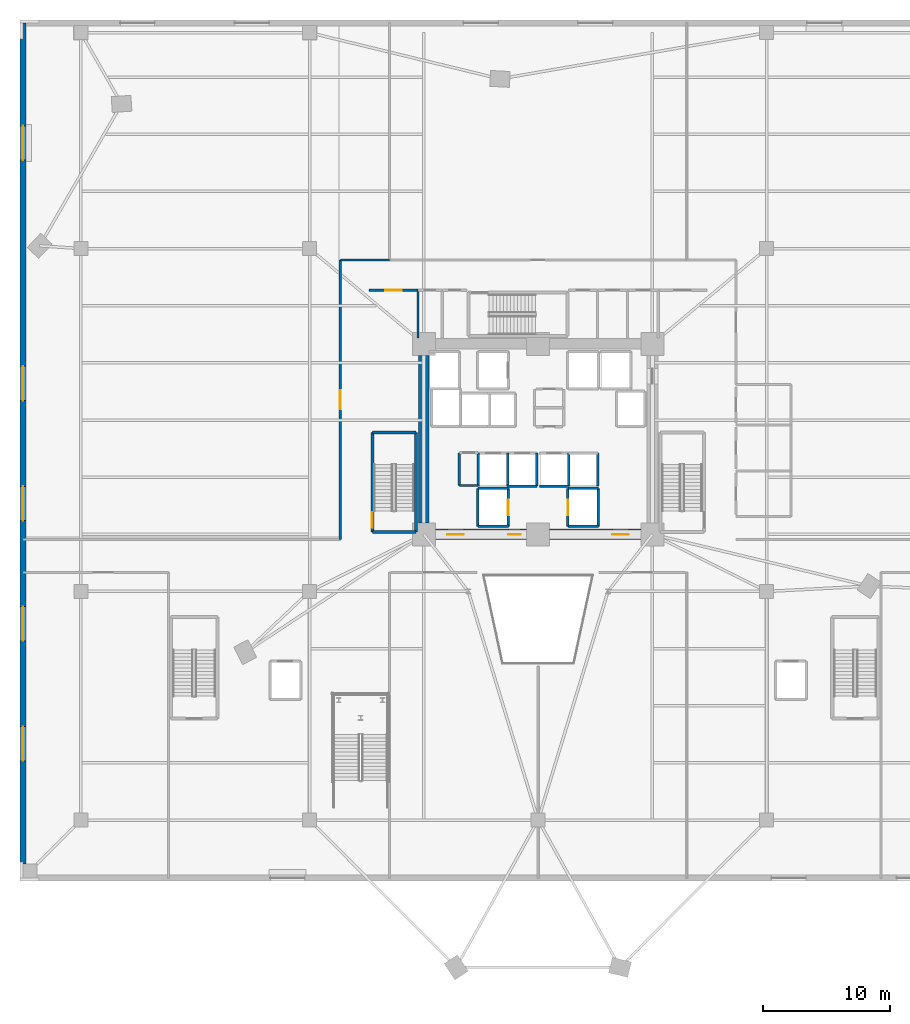
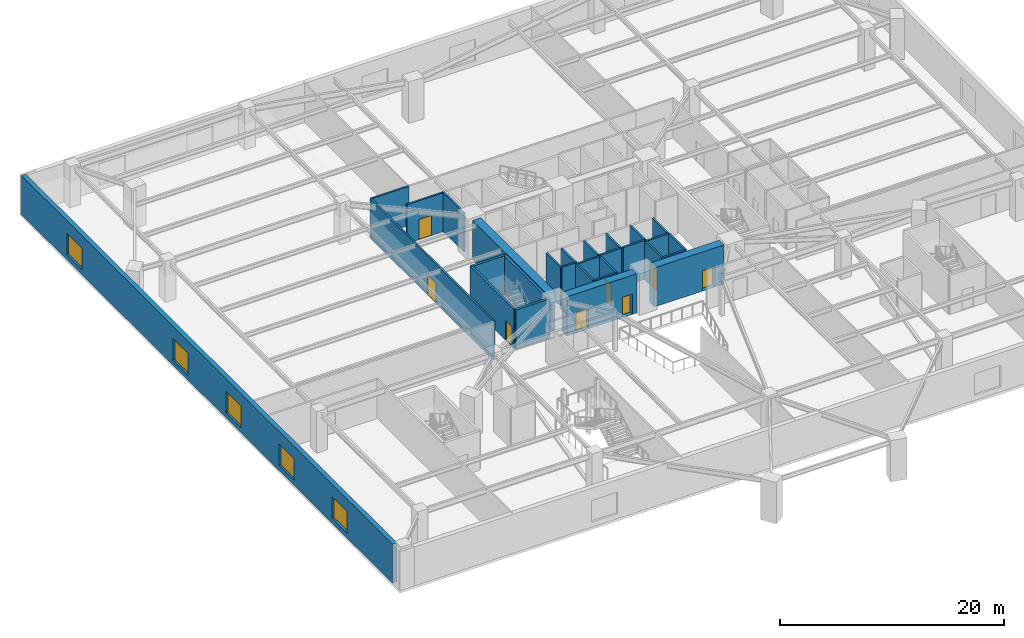
# One storey, part 6 of 16: 29 walls, 8 doors, 5 windows, 13 openings.
"""IFC4 building model written with IfcOpenShell, lengths in metres."""

from ifc_helpers import new_model, si_unit, direction, frame, frame_2d, origin, place, context, subcontext, project, spatial, rectangle, extrude, source, transform, mapped, material, layer, layer_set, type_object, element, fill, save


model = new_model("IFC4")

# Units and contexts
model_context = context("Model", 3, precision=1e-05, world=origin(), true_north=direction((0.0, 1.0)))
body_context = subcontext(model_context, "Body", "Model", "MODEL_VIEW")
ifc_project = project(units=[si_unit("LENGTHUNIT", "METRE"), si_unit("AREAUNIT", "SQUARE_METRE"), si_unit("VOLUMEUNIT", "CUBIC_METRE"), si_unit("PLANEANGLEUNIT", "RADIAN"), si_unit("MASSUNIT", "GRAM", prefix="KILO")], contexts=[model_context])

# Site, building, storey
site_placement = place(None, origin())
site = spatial("IfcSite", under=ifc_project, at=site_placement, CompositionType="ELEMENT")
building_placement = place(site_placement, origin())
building = spatial("IfcBuilding", under=site, at=building_placement, Name="Liaohun Quay Tower", CompositionType="ELEMENT")
storey_placement = place(building_placement, frame((0.0, 0.0, 14.39990234375)))
storey = spatial("IfcBuildingStorey", under=building, at=storey_placement, Name="L04", CompositionType="ELEMENT", Elevation=14.39990234375)

# Wall, opening, door
ifc_material_1 = material(Name="Concrete C60", Category="concrete")
ifc_layer_1 = layer(ifc_material_1, 0.85009765625, Name="Concrete C60", Category="concrete")
ifc_layer_set_1 = layer_set([ifc_layer_1], Name="Concrete C60")
wall_type_1 = type_object("IfcWallType", Name="WAL-COR-Z1", PredefinedType="SHEAR", material=ifc_layer_set_1)
wall_1_placement = place(storey_placement, frame((68.10009765625, 46.5, 0.0), z_axis=(0.0, 0.0, 1.0), x_axis=(-1.0, 0.0, 0.0)))
wall_1 = element("IfcWall", 1, at=wall_1_placement, inside=storey, type_object=wall_type_1, Name="L04 Central Core Shear Wall S-E", PredefinedType="SHEAR", context=body_context, shape_type="SweptSolid", body=[
    extrude(rectangle(XDim=7.2001953125, YDim=0.85009765625, at=frame_2d((3.60009765625, 0.0))), origin(), (0.0, 0.0, 1.0), 4.25),
])
shared_shape_1 = source(origin(), body_context, "Body", "SweptSolid", [
    extrude(rectangle(XDim=1.300048828125, YDim=2.199951171875, at=frame_2d((0.64990234375, 1.10009765625))), frame((0.0, 0.43505859375, 0.0), z_axis=(0.0, -1.0, 0.0), x_axis=(1.0, 0.0, 0.0)), (0.0, 0.0, 1.0), 0.8701171875),
])
opening_1_placement = place(wall_1_placement, frame((0.949951171875, 0.0, 0.0)))
opening_1 = element("IfcOpeningElement", 2, at=opening_1_placement, cuts=wall_1, Name="Opening FD1", PredefinedType="OPENING", context=body_context, shape_type="MappedRepresentation", body=[
    mapped(shared_shape_1, transform((0.0, 0.0, 0.0), x_axis=(1.0, 0.0, 0.0), y_axis=(0.0, 1.0, 0.0), z_axis=(0.0, 0.0, 1.0), scale=1.0)),
])
ifc_material_2 = material(Name="Galvanised steel smokeproof fire door", Category="steel")
door_type_1 = type_object("IfcDoorType", Name="DOR-FFL-1300", OperationType="NOTDEFINED", PredefinedType="DOOR", material=ifc_material_2)
shared_shape_2 = source(origin(), body_context, "Body", "SweptSolid", [
    extrude(rectangle(XDim=1.300048828125, YDim=2.199951171875, at=frame_2d((0.64990234375, 1.10009765625))), frame((0.0, 0.02490234375, 0.0), z_axis=(0.0, -1.0, 0.0), x_axis=(1.0, 0.0, 0.0)), (0.0, 0.0, 1.0), 0.050048828125),
])
door_1_placement = place(opening_1_placement, origin())
door_1 = element("IfcDoor", 3, at=door_1_placement, inside=storey, type_object=door_type_1, Name="L04 East Core Lift Lobby Smokeproof Door", OperationType="SINGLE_SWING_LEFT", OverallHeight=2.199951171875, OverallWidth=1.300048828125, PredefinedType="DOOR", context=body_context, shape_type="MappedRepresentation", body=[
    mapped(shared_shape_2, transform((0.0, 0.0, 0.0), x_axis=(1.0, 0.0, 0.0), y_axis=(0.0, 1.0, 0.0), z_axis=(0.0, 0.0, 1.0), scale=1.0)),
])
fill(opening_1, door_1)

# Wall, openings, doors
wall_2_placement = place(storey_placement, frame((59.10009765625, 46.5, 0.0), z_axis=(0.0, 0.0, 1.0), x_axis=(-1.0, 0.0, 0.0)))
wall_2 = element("IfcWall", 4, at=wall_2_placement, inside=storey, type_object=wall_type_1, Name="L04 Central Core Shear Wall S-W", PredefinedType="SHEAR", context=body_context, shape_type="SweptSolid", body=[
    extrude(rectangle(XDim=7.2001953125, YDim=0.85009765625, at=frame_2d((3.60009765625, 0.0))), origin(), (0.0, 0.0, 1.0), 4.25),
])
opening_2_placement = place(wall_2_placement, frame((4.949951171875, 0.0, 0.0)))
opening_2 = element("IfcOpeningElement", 5, at=opening_2_placement, cuts=wall_2, Name="Opening FD1", PredefinedType="OPENING", context=body_context, shape_type="MappedRepresentation", body=[
    mapped(shared_shape_1, transform((0.0, 0.0, 0.0), x_axis=(1.0, 0.0, 0.0), y_axis=(0.0, 1.0, 0.0), z_axis=(0.0, 0.0, 1.0), scale=1.0)),
])
shared_shape_3 = source(origin(), body_context, "Body", "SweptSolid", [
    extrude(rectangle(XDim=1.0, YDim=2.199951171875, at=frame_2d((0.5, 1.10009765625))), frame((0.0, 0.43505859375, 0.0), z_axis=(0.0, -1.0, 0.0), x_axis=(1.0, 0.0, 0.0)), (0.0, 0.0, 1.0), 0.8701171875),
])
opening_3_placement = place(wall_2_placement, frame((0.449951171875, 0.0, 0.0)))
opening_3 = element("IfcOpeningElement", 6, at=opening_3_placement, cuts=wall_2, Name="Opening FD2", PredefinedType="OPENING", context=body_context, shape_type="MappedRepresentation", body=[
    mapped(shared_shape_3, transform((0.0, 0.0, 0.0), x_axis=(1.0, 0.0, 0.0), y_axis=(0.0, 1.0, 0.0), z_axis=(0.0, 0.0, 1.0), scale=1.0)),
])
door_2_placement = place(opening_2_placement, origin())
door_2 = element("IfcDoor", 7, at=door_2_placement, inside=storey, type_object=door_type_1, Name="L04 West Core Lift Lobby Smokeproof Door", OperationType="SINGLE_SWING_RIGHT", OverallHeight=2.199951171875, OverallWidth=1.300048828125, PredefinedType="DOOR", context=body_context, shape_type="MappedRepresentation", body=[
    mapped(shared_shape_2, transform((0.0, 0.0, 0.0), x_axis=(1.0, 0.0, 0.0), y_axis=(0.0, 1.0, 0.0), z_axis=(0.0, 0.0, 1.0), scale=1.0)),
])
fill(opening_2, door_2)
ifc_material_3 = material(Name="Galvanised steel smokeproof lobby fire door", Category="steel")
door_type_2 = type_object("IfcDoorType", Name="DOR-FFL-1000", OperationType="NOTDEFINED", PredefinedType="DOOR", material=ifc_material_3)
shared_shape_4 = source(origin(), body_context, "Body", "SweptSolid", [
    extrude(rectangle(XDim=1.0, YDim=2.199951171875, at=frame_2d((0.5, 1.10009765625))), frame((0.0, 0.02490234375, 0.0), z_axis=(0.0, -1.0, 0.0), x_axis=(1.0, 0.0, 0.0)), (0.0, 0.0, 1.0), 0.050048828125),
])
door_3_placement = place(opening_3_placement, origin())
door_3 = element("IfcDoor", 8, at=door_3_placement, inside=storey, type_object=door_type_2, Name="L04 South Firefighting Lobby Smokeproof Door", OperationType="SINGLE_SWING_LEFT", OverallHeight=2.199951171875, OverallWidth=1.0, PredefinedType="DOOR", context=body_context, shape_type="MappedRepresentation", body=[
    mapped(shared_shape_4, transform((0.0, 0.0, 0.0), x_axis=(1.0, 0.0, 0.0), y_axis=(0.0, 1.0, 0.0), z_axis=(0.0, 0.0, 1.0), scale=1.0)),
])
fill(opening_3, door_3)

# Wall
wall_3_placement = place(storey_placement, frame((51.0, 47.39990234375, 0.0), z_axis=(0.0, 0.0, 1.0), x_axis=(0.0, 1.0, 0.0)))
element("IfcWall", 9, at=wall_3_placement, inside=storey, type_object=wall_type_1, Name="L04 Central Core Shear Wall W", PredefinedType="SHEAR", context=body_context, shape_type="SweptSolid", body=[
    extrude(rectangle(XDim=13.2001953125, YDim=0.85009765625, at=frame_2d((6.60009765625, 0.0))), origin(), (0.0, 0.0, 1.0), 4.25),
])

# Wall, openings, windows
ifc_material_4 = material(Name="Precast concrete C50 with granite facing", Category="masonry")
ifc_layer_2 = layer(ifc_material_4, 0.4599609375, Name="Precast concrete C50 with granite facing", Category="masonry")
ifc_layer_set_2 = layer_set([ifc_layer_2], Name="Precast concrete C50 with granite facing")
wall_type_2 = type_object("IfcWallType", Name="WAL-EXT-POD", PredefinedType="SOLIDWALL", material=ifc_layer_set_2)
wall_4_placement = place(storey_placement, frame((19.429931640625, 86.77001953125, 0.0), z_axis=(0.0, 0.0, 1.0), x_axis=(0.0, -1.0, 0.0)))
wall_4 = element("IfcWall", 10, at=wall_4_placement, inside=storey, type_object=wall_type_2, Name="L04 Podium Precast Facade Wall 03", PredefinedType="SOLIDWALL", context=body_context, shape_type="SweptSolid", body=[
    extrude(rectangle(XDim=66.22998046875, YDim=0.4599609375, at=frame_2d((33.114990234375, 0.0))), origin(), (0.0, 0.0, 1.0), 4.25),
])
shared_shape_5 = source(origin(), body_context, "Body", "SweptSolid", [
    extrude(rectangle(XDim=2.699951171875, YDim=2.35009765625, at=frame_2d((1.35009765625, 1.175048828125))), frame((0.0, 0.239990234375, 0.0), z_axis=(0.0, -1.0, 0.0), x_axis=(1.0, 0.0, 0.0)), (0.0, 0.0, 1.0), 0.47998046875),
])
opening_4_placement = place(wall_4_placement, frame((8.111083984375, 0.0, 0.550048828125)))
opening_4 = element("IfcOpeningElement", 11, at=opening_4_placement, cuts=wall_4, Name="Opening W06", PredefinedType="OPENING", context=body_context, shape_type="MappedRepresentation", body=[
    mapped(shared_shape_5, transform((0.0, 0.0, 0.0), x_axis=(1.0, 0.0, 0.0), y_axis=(0.0, 1.0, 0.0), z_axis=(0.0, 0.0, 1.0), scale=1.0)),
])
opening_5_placement = place(wall_4_placement, frame((27.033935546875, 0.0, 0.550048828125)))
opening_5 = element("IfcOpeningElement", 12, at=opening_5_placement, cuts=wall_4, Name="Opening W06", PredefinedType="OPENING", context=body_context, shape_type="MappedRepresentation", body=[
    mapped(shared_shape_5, transform((0.0, 0.0, 0.0), x_axis=(1.0, 0.0, 0.0), y_axis=(0.0, 1.0, 0.0), z_axis=(0.0, 0.0, 1.0), scale=1.0)),
])
opening_6_placement = place(wall_4_placement, frame((36.49609375, 0.0, 0.550048828125)))
opening_6 = element("IfcOpeningElement", 13, at=opening_6_placement, cuts=wall_4, Name="Opening W06", PredefinedType="OPENING", context=body_context, shape_type="MappedRepresentation", body=[
    mapped(shared_shape_5, transform((0.0, 0.0, 0.0), x_axis=(1.0, 0.0, 0.0), y_axis=(0.0, 1.0, 0.0), z_axis=(0.0, 0.0, 1.0), scale=1.0)),
])
opening_7_placement = place(wall_4_placement, frame((45.95703125, 0.0, 0.550048828125)))
opening_7 = element("IfcOpeningElement", 14, at=opening_7_placement, cuts=wall_4, Name="Opening W06", PredefinedType="OPENING", context=body_context, shape_type="MappedRepresentation", body=[
    mapped(shared_shape_5, transform((0.0, 0.0, 0.0), x_axis=(1.0, 0.0, 0.0), y_axis=(0.0, 1.0, 0.0), z_axis=(0.0, 0.0, 1.0), scale=1.0)),
])
opening_8_placement = place(wall_4_placement, frame((55.4189453125, 0.0, 0.550048828125)))
opening_8 = element("IfcOpeningElement", 15, at=opening_8_placement, cuts=wall_4, Name="Opening W06", PredefinedType="OPENING", context=body_context, shape_type="MappedRepresentation", body=[
    mapped(shared_shape_5, transform((0.0, 0.0, 0.0), x_axis=(1.0, 0.0, 0.0), y_axis=(0.0, 1.0, 0.0), z_axis=(0.0, 0.0, 1.0), scale=1.0)),
])
ifc_material_5 = material(Name="Triple Low-E waterfront podium glazing", Category="glass")
window_type = type_object("IfcWindowType", Name="WIN-POD-ARC", PartitioningType="TRIPLE_PANEL_VERTICAL", PredefinedType="WINDOW", material=ifc_material_5)
shared_shape_6 = source(origin(), body_context, "Body", "SweptSolid", [
    extrude(rectangle(XDim=2.699951171875, YDim=2.35009765625, at=frame_2d((1.35009765625, 1.175048828125))), frame((0.0, 0.030029296875, 0.0), z_axis=(0.0, -1.0, 0.0), x_axis=(1.0, 0.0, 0.0)), (0.0, 0.0, 1.0), 0.06005859375),
])
window_1_placement = place(opening_4_placement, origin())
window_1 = element("IfcWindow", 16, at=window_1_placement, inside=storey, type_object=window_type, Name="L04 Podium Punched Window W06-03-01", OverallHeight=2.35009765625, OverallWidth=2.699951171875, PartitioningType="TRIPLE_PANEL_VERTICAL", PredefinedType="WINDOW", context=body_context, shape_type="MappedRepresentation", body=[
    mapped(shared_shape_6, transform((0.0, 0.0, 0.0), x_axis=(1.0, 0.0, 0.0), y_axis=(0.0, 1.0, 0.0), z_axis=(0.0, 0.0, 1.0), scale=1.0)),
])
fill(opening_4, window_1)
window_2_placement = place(opening_5_placement, origin())
window_2 = element("IfcWindow", 17, at=window_2_placement, inside=storey, type_object=window_type, Name="L04 Podium Punched Window W06-03-03", OverallHeight=2.35009765625, OverallWidth=2.699951171875, PartitioningType="TRIPLE_PANEL_VERTICAL", PredefinedType="WINDOW", context=body_context, shape_type="MappedRepresentation", body=[
    mapped(shared_shape_6, transform((0.0, 0.0, 0.0), x_axis=(1.0, 0.0, 0.0), y_axis=(0.0, 1.0, 0.0), z_axis=(0.0, 0.0, 1.0), scale=1.0)),
])
fill(opening_5, window_2)
window_3_placement = place(opening_6_placement, origin())
window_3 = element("IfcWindow", 18, at=window_3_placement, inside=storey, type_object=window_type, Name="L04 Podium Punched Window W06-03-04", OverallHeight=2.35009765625, OverallWidth=2.699951171875, PartitioningType="TRIPLE_PANEL_VERTICAL", PredefinedType="WINDOW", context=body_context, shape_type="MappedRepresentation", body=[
    mapped(shared_shape_6, transform((0.0, 0.0, 0.0), x_axis=(1.0, 0.0, 0.0), y_axis=(0.0, 1.0, 0.0), z_axis=(0.0, 0.0, 1.0), scale=1.0)),
])
fill(opening_6, window_3)
window_4_placement = place(opening_7_placement, origin())
window_4 = element("IfcWindow", 19, at=window_4_placement, inside=storey, type_object=window_type, Name="L04 Podium Punched Window W06-03-05", OverallHeight=2.35009765625, OverallWidth=2.699951171875, PartitioningType="TRIPLE_PANEL_VERTICAL", PredefinedType="WINDOW", context=body_context, shape_type="MappedRepresentation", body=[
    mapped(shared_shape_6, transform((0.0, 0.0, 0.0), x_axis=(1.0, 0.0, 0.0), y_axis=(0.0, 1.0, 0.0), z_axis=(0.0, 0.0, 1.0), scale=1.0)),
])
fill(opening_7, window_4)
window_5_placement = place(opening_8_placement, origin())
window_5 = element("IfcWindow", 20, at=window_5_placement, inside=storey, type_object=window_type, Name="L04 Podium Punched Window W06-03-06", OverallHeight=2.35009765625, OverallWidth=2.699951171875, PartitioningType="TRIPLE_PANEL_VERTICAL", PredefinedType="WINDOW", context=body_context, shape_type="MappedRepresentation", body=[
    mapped(shared_shape_6, transform((0.0, 0.0, 0.0), x_axis=(1.0, 0.0, 0.0), y_axis=(0.0, 1.0, 0.0), z_axis=(0.0, 0.0, 1.0), scale=1.0)),
])
fill(opening_8, window_5)

# Wall, opening, door
ifc_material_6 = material(Name="Autoclaved aerated concrete blockwork", Category="masonry")
ifc_layer_3 = layer(ifc_material_6, 0.179931640625, Name="Autoclaved aerated concrete blockwork", Category="masonry")
ifc_layer_set_3 = layer_set([ifc_layer_3], Name="Autoclaved aerated concrete blockwork")
wall_type_3 = type_object("IfcWallType", Name="WAL-PRT-COR", PredefinedType="PARTITIONING", material=ifc_layer_set_3)
wall_5_placement = place(storey_placement, frame((46.699951171875, 65.719970703125, 0.0), z_axis=(0.0, 0.0, 1.0), x_axis=(1.0, 0.0, 0.0)))
wall_5 = element("IfcWall", 21, at=wall_5_placement, inside=storey, type_object=wall_type_3, Name="L04 Interior Partition Wall 012", PredefinedType="PARTITIONING", context=body_context, shape_type="SweptSolid", body=[
    extrude(rectangle(XDim=3.840087890625, YDim=0.179931640625, at=frame_2d((1.919921875, 0.0))), origin(), (0.0, 0.0, 1.0), 4.25),
])
shared_shape_7 = source(origin(), body_context, "Body", "SweptSolid", [
    extrude(rectangle(XDim=1.300048828125, YDim=2.199951171875, at=frame_2d((0.64990234375, 1.10009765625))), frame((0.0, 0.099853515625, 0.0), z_axis=(0.0, -1.0, 0.0), x_axis=(1.0, 0.0, 0.0)), (0.0, 0.0, 1.0), 0.199951171875),
])
opening_9_placement = place(wall_5_placement, frame((1.27001953125, 0.0, 0.0)))
opening_9 = element("IfcOpeningElement", 22, at=opening_9_placement, cuts=wall_5, Name="Opening FD1", PredefinedType="OPENING", context=body_context, shape_type="MappedRepresentation", body=[
    mapped(shared_shape_7, transform((0.0, 0.0, 0.0), x_axis=(1.0, 0.0, 0.0), y_axis=(0.0, 1.0, 0.0), z_axis=(0.0, 0.0, 1.0), scale=1.0)),
])
door_4_placement = place(opening_9_placement, origin())
door_4 = element("IfcDoor", 23, at=door_4_placement, inside=storey, type_object=door_type_1, Name="L04 Podium West Core Vestibule Door", OperationType="SINGLE_SWING_LEFT", OverallHeight=2.199951171875, OverallWidth=1.300048828125, PredefinedType="DOOR", context=body_context, shape_type="MappedRepresentation", body=[
    mapped(shared_shape_2, transform((0.0, 0.0, 0.0), x_axis=(1.0, 0.0, 0.0), y_axis=(0.0, 1.0, 0.0), z_axis=(0.0, 0.0, 1.0), scale=1.0)),
])
fill(opening_9, door_4)

wall_6_placement = place(storey_placement, frame((44.419921875, 46.10009765625, 0.0), z_axis=(0.0, 0.0, 1.0), x_axis=(0.0, 1.0, 0.0)))
wall_6 = element("IfcWall", 24, at=wall_6_placement, inside=storey, type_object=wall_type_3, Name="L04 Interior Partition Wall 018", PredefinedType="PARTITIONING", context=body_context, shape_type="SweptSolid", body=[
    extrude(rectangle(XDim=22.0, YDim=0.179931640625, at=frame_2d((11.0, 0.0))), origin(), (0.0, 0.0, 1.0), 4.25),
])
shared_shape_8 = source(origin(), body_context, "Body", "SweptSolid", [
    extrude(rectangle(XDim=1.5, YDim=2.199951171875, at=frame_2d((0.75, 1.10009765625))), frame((0.0, 0.099853515625, 0.0), z_axis=(0.0, -1.0, 0.0), x_axis=(1.0, 0.0, 0.0)), (0.0, 0.0, 1.0), 0.199951171875),
])
opening_10_placement = place(wall_6_placement, frame((10.25, 0.0, 0.0)))
opening_10 = element("IfcOpeningElement", 25, at=opening_10_placement, cuts=wall_6, Name="Opening OD2", PredefinedType="OPENING", context=body_context, shape_type="MappedRepresentation", body=[
    mapped(shared_shape_8, transform((0.0, 0.0, 0.0), x_axis=(1.0, 0.0, 0.0), y_axis=(0.0, 1.0, 0.0), z_axis=(0.0, 0.0, 1.0), scale=1.0)),
])
ifc_material_7 = material(Name="Acoustic oak veneer double door")
door_type_3 = type_object("IfcDoorType", Name="DOR-OFF-1500", OperationType="DOUBLE_DOOR_SINGLE_SWING", PredefinedType="DOOR", material=ifc_material_7)
shared_shape_9 = source(origin(), body_context, "Body", "SweptSolid", [
    extrude(rectangle(XDim=1.5, YDim=2.199951171875, at=frame_2d((0.75, 1.10009765625))), frame((0.0, 0.02490234375, 0.0), z_axis=(0.0, -1.0, 0.0), x_axis=(1.0, 0.0, 0.0)), (0.0, 0.0, 1.0), 0.050048828125),
])
door_5_placement = place(opening_10_placement, origin())
door_5 = element("IfcDoor", 26, at=door_5_placement, inside=storey, type_object=door_type_3, Name="L04 Digital Media Studio Door", OperationType="DOUBLE_DOOR_SINGLE_SWING", OverallHeight=2.199951171875, OverallWidth=1.5, PredefinedType="DOOR", context=body_context, shape_type="MappedRepresentation", body=[
    mapped(shared_shape_9, transform((0.0, 0.0, 0.0), x_axis=(1.0, 0.0, 0.0), y_axis=(0.0, 1.0, 0.0), z_axis=(0.0, 0.0, 1.0), scale=1.0)),
])
fill(opening_10, door_5)

# Walls
wall_7_placement = place(storey_placement, frame((53.7900390625, 50.35009765625, 0.0), z_axis=(0.0, 0.0, 1.0), x_axis=(0.0, 1.0, 0.0)))
element("IfcWall", 27, at=wall_7_placement, inside=storey, type_object=wall_type_3, Name="L04 Interior Partition Wall 024", PredefinedType="PARTITIONING", context=body_context, shape_type="SweptSolid", body=[
    extrude(rectangle(XDim=2.56982421875, YDim=0.179931640625, at=frame_2d((1.284912109375, 0.0))), origin(), (0.0, 0.0, 1.0), 4.25),
])
wall_8_placement = place(storey_placement, frame((53.7900390625, 50.35009765625, 0.0), z_axis=(0.0, 0.0, 1.0), x_axis=(1.0, 0.0, 0.0)))
element("IfcWall", 28, at=wall_8_placement, inside=storey, type_object=wall_type_3, Name="L04 Interior Partition Wall 025", PredefinedType="PARTITIONING", context=body_context, shape_type="SweptSolid", body=[
    extrude(rectangle(XDim=1.489990234375, YDim=0.179931640625, at=frame_2d((0.7451171875, 0.0))), origin(), (0.0, 0.0, 1.0), 4.25),
])
wall_9_placement = place(storey_placement, frame((44.419921875, 68.10009765625, 0.0), z_axis=(0.0, 0.0, 1.0), x_axis=(1.0, 0.0, 0.0)))
element("IfcWall", 29, at=wall_9_placement, inside=storey, type_object=wall_type_3, Name="L04 Interior Partition Wall 033", PredefinedType="PARTITIONING", context=body_context, shape_type="SweptSolid", body=[
    extrude(rectangle(XDim=3.880126953125, YDim=0.179931640625, at=frame_2d((1.93994140625, 0.0))), origin(), (0.0, 0.0, 1.0), 4.25),
])
wall_10_placement = place(storey_placement, frame((50.5400390625, 61.949951171875, 0.0), z_axis=(0.0, 0.0, 1.0), x_axis=(0.0, 1.0, 0.0)))
element("IfcWall", 30, at=wall_10_placement, inside=storey, type_object=wall_type_3, Name="L04 Interior Partition Wall 042", PredefinedType="PARTITIONING", context=body_context, shape_type="SweptSolid", body=[
    extrude(rectangle(XDim=3.77001953125, YDim=0.179931640625, at=frame_2d((1.885009765625, 0.0))), origin(), (0.0, 0.0, 1.0), 4.25),
])
ifc_material_8 = material(Name="Concrete C50", Category="concrete")
ifc_layer_4 = layer(ifc_material_8, 0.239990234375, Name="Concrete C50", Category="concrete")
ifc_layer_set_4 = layer_set([ifc_layer_4], Name="Concrete C50")
wall_type_4 = type_object("IfcWallType", Name="WAL-SHF-200", PredefinedType="SOLIDWALL", material=ifc_layer_set_4)
wall_11_placement = place(storey_placement, frame((46.93994140625, 46.699951171875, 0.0), z_axis=(0.0, 0.0, 1.0), x_axis=(1.0, 0.0, 0.0)))
element("IfcWall", 31, at=wall_11_placement, inside=storey, type_object=wall_type_4, Name="L04 Stairwell ST-1 Structural Core Wall S", PredefinedType="SOLIDWALL", context=body_context, shape_type="SweptSolid", body=[
    extrude(rectangle(XDim=3.43994140625, YDim=0.239990234375, at=frame_2d((1.719970703125, 0.0))), origin(), (0.0, 0.0, 1.0), 4.25),
])
wall_12_placement = place(storey_placement, frame((50.3798828125, 46.699951171875, 0.0), z_axis=(0.0, 0.0, 1.0), x_axis=(0.0, 1.0, 0.0)))
element("IfcWall", 32, at=wall_12_placement, inside=storey, type_object=wall_type_4, Name="L04 Stairwell ST-1 Structural Core Wall E", PredefinedType="SOLIDWALL", context=body_context, shape_type="SweptSolid", body=[
    extrude(rectangle(XDim=7.820068359375, YDim=0.239990234375, at=frame_2d((3.91015625, 0.0))), origin(), (0.0, 0.0, 1.0), 4.25),
])
wall_13_placement = place(storey_placement, frame((50.3798828125, 54.52001953125, 0.0), z_axis=(0.0, 0.0, 1.0), x_axis=(-1.0, 0.0, 0.0)))
element("IfcWall", 33, at=wall_13_placement, inside=storey, type_object=wall_type_4, Name="L04 Stairwell ST-1 Structural Core Wall N", PredefinedType="SOLIDWALL", context=body_context, shape_type="SweptSolid", body=[
    extrude(rectangle(XDim=3.43994140625, YDim=0.239990234375, at=frame_2d((1.719970703125, 0.0))), origin(), (0.0, 0.0, 1.0), 4.25),
])

# Wall, opening, door
wall_14_placement = place(storey_placement, frame((46.93994140625, 54.52001953125, 0.0), z_axis=(0.0, 0.0, 1.0), x_axis=(0.0, -1.0, 0.0)))
wall_14 = element("IfcWall", 34, at=wall_14_placement, inside=storey, type_object=wall_type_4, Name="L04 Stairwell ST-1 Structural Core Wall W", PredefinedType="SOLIDWALL", context=body_context, shape_type="SweptSolid", body=[
    extrude(rectangle(XDim=7.820068359375, YDim=0.239990234375, at=frame_2d((3.91015625, 0.0))), origin(), (0.0, 0.0, 1.0), 4.25),
])
shared_shape_10 = source(origin(), body_context, "Body", "SweptSolid", [
    extrude(rectangle(XDim=1.199951171875, YDim=2.199951171875, at=frame_2d((0.60009765625, 1.10009765625))), frame((0.0, 0.1298828125, 0.0), z_axis=(0.0, -1.0, 0.0), x_axis=(1.0, 0.0, 0.0)), (0.0, 0.0, 1.0), 0.260009765625),
])
opening_11_placement = place(wall_14_placement, frame((6.300048828125, 0.0, 0.0)))
opening_11 = element("IfcOpeningElement", 35, at=opening_11_placement, cuts=wall_14, Name="Opening SD1", PredefinedType="OPENING", context=body_context, shape_type="MappedRepresentation", body=[
    mapped(shared_shape_10, transform((0.0, 0.0, 0.0), x_axis=(1.0, 0.0, 0.0), y_axis=(0.0, 1.0, 0.0), z_axis=(0.0, 0.0, 1.0), scale=1.0)),
])
ifc_material_9 = material(Name="Galvanised steel fire door", Category="steel")
door_type_4 = type_object("IfcDoorType", Name="DOR-STR-1200", OperationType="NOTDEFINED", PredefinedType="DOOR", material=ifc_material_9)
shared_shape_11 = source(origin(), body_context, "Body", "SweptSolid", [
    extrude(rectangle(XDim=1.199951171875, YDim=2.199951171875, at=frame_2d((0.60009765625, 1.10009765625))), frame((0.0, 0.02490234375, 0.0), z_axis=(0.0, -1.0, 0.0), x_axis=(1.0, 0.0, 0.0)), (0.0, 0.0, 1.0), 0.050048828125),
])
door_6_placement = place(opening_11_placement, origin())
door_6 = element("IfcDoor", 36, at=door_6_placement, inside=storey, type_object=door_type_4, Name="L04 Protected Stair ST-1 Fire Door", OperationType="SINGLE_SWING_LEFT", OverallHeight=2.199951171875, OverallWidth=1.199951171875, PredefinedType="DOOR", context=body_context, shape_type="MappedRepresentation", body=[
    mapped(shared_shape_11, transform((0.0, 0.0, 0.0), x_axis=(1.0, 0.0, 0.0), y_axis=(0.0, 1.0, 0.0), z_axis=(0.0, 0.0, 1.0), scale=1.0)),
])
fill(opening_11, door_6)

# Wall
wall_15_placement = place(storey_placement, frame((55.25, 47.1201171875, 0.0), z_axis=(0.0, 0.0, 1.0), x_axis=(1.0, 0.0, 0.0)))
element("IfcWall", 37, at=wall_15_placement, inside=storey, type_object=wall_type_4, Name="L04 Lift FF-01 Hoistway Wall S", PredefinedType="SOLIDWALL", context=body_context, shape_type="SweptSolid", body=[
    extrude(rectangle(XDim=2.39990234375, YDim=0.199951171875, at=frame_2d((1.199951171875, 0.0))), origin(), (0.0, 0.0, 1.0), 4.25),
])

# Wall, opening, door
wall_16_placement = place(storey_placement, frame((57.64990234375, 47.1201171875, 0.0), z_axis=(0.0, 0.0, 1.0), x_axis=(0.0, 1.0, 0.0)))
wall_16 = element("IfcWall", 38, at=wall_16_placement, inside=storey, type_object=wall_type_4, Name="L04 Lift FF-01 Hoistway Wall E", PredefinedType="SOLIDWALL", context=body_context, shape_type="SweptSolid", body=[
    extrude(rectangle(XDim=3.0, YDim=0.199951171875, at=frame_2d((1.5, 0.0))), origin(), (0.0, 0.0, 1.0), 4.25),
])
shared_shape_12 = source(origin(), body_context, "Body", "SweptSolid", [
    extrude(rectangle(XDim=1.199951171875, YDim=2.300048828125, at=frame_2d((0.60009765625, 1.14990234375))), frame((0.0, 0.10986328125, 0.0), z_axis=(0.0, -1.0, 0.0), x_axis=(1.0, 0.0, 0.0)), (0.0, 0.0, 1.0), 0.219970703125),
])
opening_12_placement = place(wall_16_placement, frame((0.89990234375, 0.0, 0.0)))
opening_12 = element("IfcOpeningElement", 39, at=opening_12_placement, cuts=wall_16, Name="Opening LD2", PredefinedType="OPENING", context=body_context, shape_type="MappedRepresentation", body=[
    mapped(shared_shape_12, transform((0.0, 0.0, 0.0), x_axis=(1.0, 0.0, 0.0), y_axis=(0.0, 1.0, 0.0), z_axis=(0.0, 0.0, 1.0), scale=1.0)),
])
ifc_material_10 = material(Name="Brushed stainless steel stretcher landing door", Category="steel")
door_type_5 = type_object("IfcDoorType", Name="DOR-LFT-1200", OperationType="SLIDING_TO_LEFT", PredefinedType="DOOR", material=ifc_material_10)
shared_shape_13 = source(origin(), body_context, "Body", "SweptSolid", [
    extrude(rectangle(XDim=1.199951171875, YDim=2.300048828125, at=frame_2d((0.60009765625, 1.14990234375))), frame((0.0, 0.02490234375, 0.0), z_axis=(0.0, -1.0, 0.0), x_axis=(1.0, 0.0, 0.0)), (0.0, 0.0, 1.0), 0.050048828125),
])
door_7_placement = place(opening_12_placement, origin())
door_7 = element("IfcDoor", 40, at=door_7_placement, inside=storey, type_object=door_type_5, Name="L04 Lift FF-01 Sliding Landing Door", OperationType="SLIDING_TO_LEFT", OverallHeight=2.300048828125, OverallWidth=1.199951171875, PredefinedType="DOOR", context=body_context, shape_type="MappedRepresentation", body=[
    mapped(shared_shape_13, transform((0.0, 0.0, 0.0), x_axis=(1.0, 0.0, 0.0), y_axis=(0.0, 1.0, 0.0), z_axis=(0.0, 0.0, 1.0), scale=1.0)),
])
fill(opening_12, door_7)

# Walls
wall_17_placement = place(storey_placement, frame((57.64990234375, 50.1201171875, 0.0), z_axis=(0.0, 0.0, 1.0), x_axis=(-1.0, 0.0, 0.0)))
element("IfcWall", 41, at=wall_17_placement, inside=storey, type_object=wall_type_4, Name="L04 Lift FF-01 Hoistway Wall N", PredefinedType="SOLIDWALL", context=body_context, shape_type="SweptSolid", body=[
    extrude(rectangle(XDim=2.39990234375, YDim=0.199951171875, at=frame_2d((1.199951171875, 0.0))), origin(), (0.0, 0.0, 1.0), 4.25),
])
wall_18_placement = place(storey_placement, frame((55.25, 50.1201171875, 0.0), z_axis=(0.0, 0.0, 1.0), x_axis=(0.0, -1.0, 0.0)))
element("IfcWall", 42, at=wall_18_placement, inside=storey, type_object=wall_type_4, Name="L04 Lift FF-01 Hoistway Wall W", PredefinedType="SOLIDWALL", context=body_context, shape_type="SweptSolid", body=[
    extrude(rectangle(XDim=3.0, YDim=0.199951171875, at=frame_2d((1.5, 0.0))), origin(), (0.0, 0.0, 1.0), 4.25),
])
wall_19_placement = place(storey_placement, frame((62.35009765625, 47.1201171875, 0.0), z_axis=(0.0, 0.0, 1.0), x_axis=(1.0, 0.0, 0.0)))
element("IfcWall", 43, at=wall_19_placement, inside=storey, type_object=wall_type_4, Name="L04 Lift FF-02 Hoistway Wall S", PredefinedType="SOLIDWALL", context=body_context, shape_type="SweptSolid", body=[
    extrude(rectangle(XDim=2.39990234375, YDim=0.199951171875, at=frame_2d((1.199951171875, 0.0))), origin(), (0.0, 0.0, 1.0), 4.25),
])
wall_20_placement = place(storey_placement, frame((64.75, 47.1201171875, 0.0), z_axis=(0.0, 0.0, 1.0), x_axis=(0.0, 1.0, 0.0)))
element("IfcWall", 44, at=wall_20_placement, inside=storey, type_object=wall_type_4, Name="L04 Lift FF-02 Hoistway Wall E", PredefinedType="SOLIDWALL", context=body_context, shape_type="SweptSolid", body=[
    extrude(rectangle(XDim=3.0, YDim=0.199951171875, at=frame_2d((1.5, 0.0))), origin(), (0.0, 0.0, 1.0), 4.25),
])
wall_21_placement = place(storey_placement, frame((64.75, 50.1201171875, 0.0), z_axis=(0.0, 0.0, 1.0), x_axis=(-1.0, 0.0, 0.0)))
element("IfcWall", 45, at=wall_21_placement, inside=storey, type_object=wall_type_4, Name="L04 Lift FF-02 Hoistway Wall N", PredefinedType="SOLIDWALL", context=body_context, shape_type="SweptSolid", body=[
    extrude(rectangle(XDim=2.39990234375, YDim=0.199951171875, at=frame_2d((1.199951171875, 0.0))), origin(), (0.0, 0.0, 1.0), 4.25),
])

# Wall, opening, door
wall_22_placement = place(storey_placement, frame((62.35009765625, 50.1201171875, 0.0), z_axis=(0.0, 0.0, 1.0), x_axis=(0.0, -1.0, 0.0)))
wall_22 = element("IfcWall", 46, at=wall_22_placement, inside=storey, type_object=wall_type_4, Name="L04 Lift FF-02 Hoistway Wall W", PredefinedType="SOLIDWALL", context=body_context, shape_type="SweptSolid", body=[
    extrude(rectangle(XDim=3.0, YDim=0.199951171875, at=frame_2d((1.5, 0.0))), origin(), (0.0, 0.0, 1.0), 4.25),
])
opening_13_placement = place(wall_22_placement, frame((0.89990234375, 0.0, 0.0)))
opening_13 = element("IfcOpeningElement", 47, at=opening_13_placement, cuts=wall_22, Name="Opening LD2", PredefinedType="OPENING", context=body_context, shape_type="MappedRepresentation", body=[
    mapped(shared_shape_12, transform((0.0, 0.0, 0.0), x_axis=(1.0, 0.0, 0.0), y_axis=(0.0, 1.0, 0.0), z_axis=(0.0, 0.0, 1.0), scale=1.0)),
])
door_8_placement = place(opening_13_placement, origin())
door_8 = element("IfcDoor", 48, at=door_8_placement, inside=storey, type_object=door_type_5, Name="L04 Lift FF-02 Sliding Landing Door", OperationType="SLIDING_TO_LEFT", OverallHeight=2.300048828125, OverallWidth=1.199951171875, PredefinedType="DOOR", context=body_context, shape_type="MappedRepresentation", body=[
    mapped(shared_shape_13, transform((0.0, 0.0, 0.0), x_axis=(1.0, 0.0, 0.0), y_axis=(0.0, 1.0, 0.0), z_axis=(0.0, 0.0, 1.0), scale=1.0)),
])
fill(opening_13, door_8)

# Walls
for number, where, z_axis, x_axis, name in (
    (49, (57.60009765625, 50.300048828125, 0.0), (0.0, 0.0, 1.0), (0.0, 1.0, 0.0), "L04 Lift PL-1A Hoistway Wall E"),
    (50, (55.300048828125, 52.89990234375, 0.0), (0.0, 0.0, 1.0), (0.0, -1.0, 0.0), "L04 Lift PL-1A Hoistway Wall W"),
):
    element("IfcWall", number, at=place(storey_placement, frame(where, z_axis=z_axis, x_axis=x_axis)), inside=storey, type_object=wall_type_4, Name=name, PredefinedType="SOLIDWALL", context=body_context, shape_type="SweptSolid", body=[
        extrude(rectangle(XDim=2.599853515625, YDim=0.199951171875, at=frame_2d((1.2998046875, 0.0))), origin(), (0.0, 0.0, 1.0), 4.25),
    ])
wall_23_placement = place(storey_placement, frame((57.60009765625, 50.300048828125, 0.0), z_axis=(0.0, 0.0, 1.0), x_axis=(1.0, 0.0, 0.0)))
element("IfcWall", 51, at=wall_23_placement, inside=storey, type_object=wall_type_4, Name="L04 Lift PL-1B Hoistway Wall S", PredefinedType="SOLIDWALL", context=body_context, shape_type="SweptSolid", body=[
    extrude(rectangle(XDim=2.2998046875, YDim=0.199951171875, at=frame_2d((1.14990234375, 0.0))), origin(), (0.0, 0.0, 1.0), 4.25),
])
wall_24_placement = place(storey_placement, frame((59.89990234375, 50.300048828125, 0.0), z_axis=(0.0, 0.0, 1.0), x_axis=(0.0, 1.0, 0.0)))
element("IfcWall", 52, at=wall_24_placement, inside=storey, type_object=wall_type_4, Name="L04 Lift PL-1B Hoistway Wall E", PredefinedType="SOLIDWALL", context=body_context, shape_type="SweptSolid", body=[
    extrude(rectangle(XDim=2.599853515625, YDim=0.199951171875, at=frame_2d((1.2998046875, 0.0))), origin(), (0.0, 0.0, 1.0), 4.25),
])
wall_25_placement = place(storey_placement, frame((60.10009765625, 50.300048828125, 0.0), z_axis=(0.0, 0.0, 1.0), x_axis=(1.0, 0.0, 0.0)))
element("IfcWall", 53, at=wall_25_placement, inside=storey, type_object=wall_type_4, Name="L04 Lift PL-1C Hoistway Wall S", PredefinedType="SOLIDWALL", context=body_context, shape_type="SweptSolid", body=[
    extrude(rectangle(XDim=2.2998046875, YDim=0.199951171875, at=frame_2d((1.14990234375, 0.0))), origin(), (0.0, 0.0, 1.0), 4.25),
])
for number, where, z_axis, x_axis, name in (
    (54, (62.39990234375, 50.300048828125, 0.0), (0.0, 0.0, 1.0), (0.0, 1.0, 0.0), "L04 Lift PL-1C Hoistway Wall E"),
    (55, (64.699951171875, 50.300048828125, 0.0), (0.0, 0.0, 1.0), (0.0, 1.0, 0.0), "L04 Lift PL-2A Hoistway Wall E"),
):
    element("IfcWall", number, at=place(storey_placement, frame(where, z_axis=z_axis, x_axis=x_axis)), inside=storey, type_object=wall_type_4, Name=name, PredefinedType="SOLIDWALL", context=body_context, shape_type="SweptSolid", body=[
        extrude(rectangle(XDim=2.599853515625, YDim=0.199951171875, at=frame_2d((1.2998046875, 0.0))), origin(), (0.0, 0.0, 1.0), 4.25),
    ])

save(model, "model.ifc")
